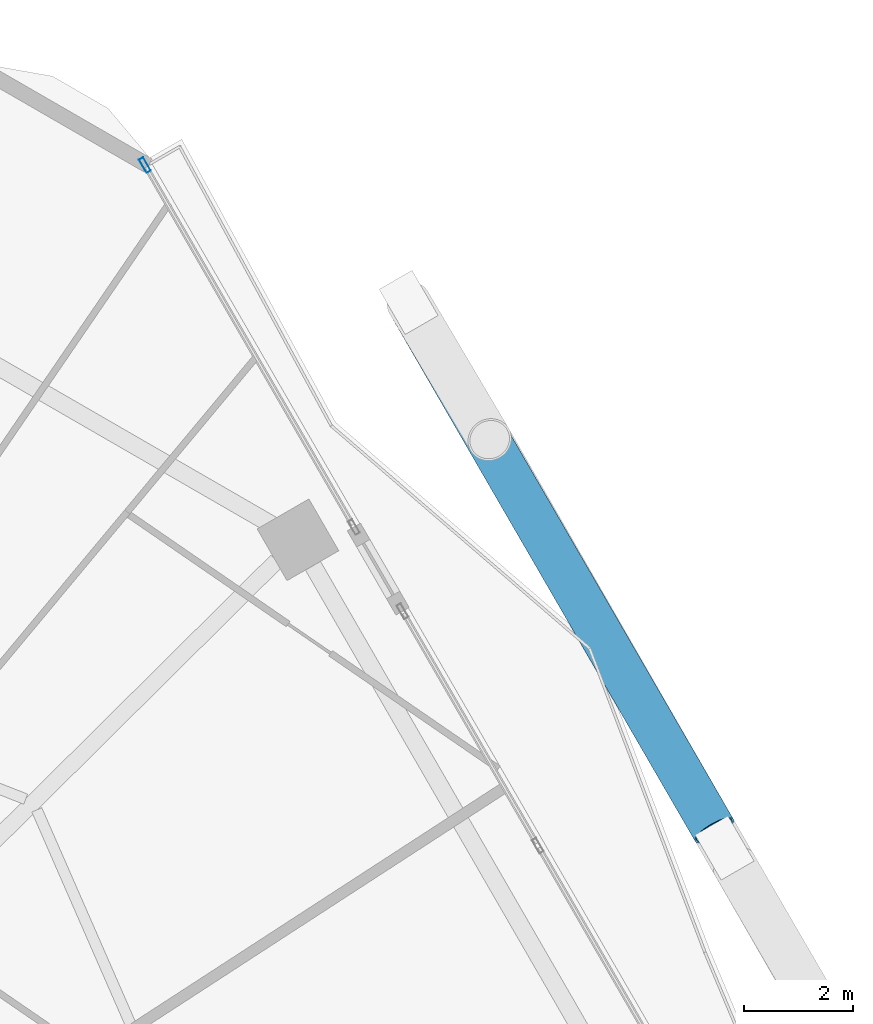
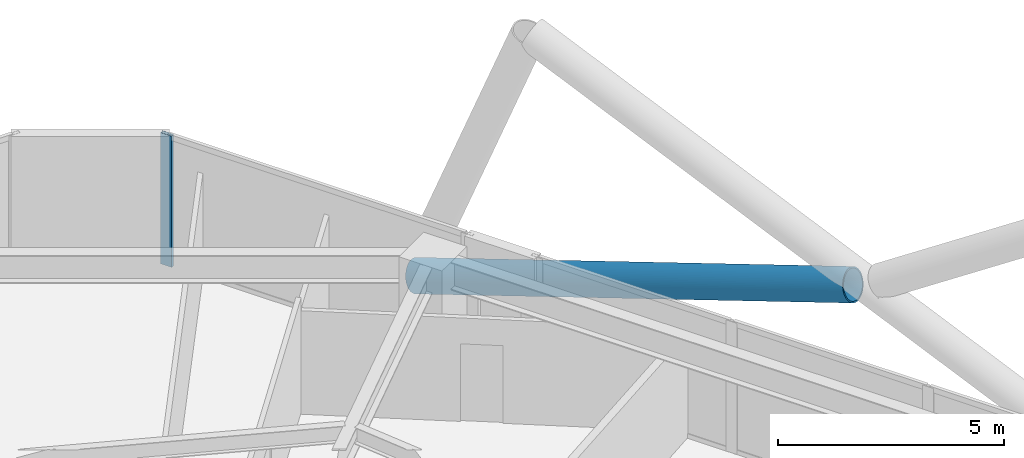
# One storey, part 24 of 35: 2 members, 1 element without a shape of its own.
"""IFC4 building model written with IfcOpenShell, lengths in metres."""

import ifcopenshell
import ifcopenshell.guid

model = None  # the IFC model being written
_history = None  # IfcOwnerHistory: only IFC2X3 demands one
_inside = {}  # id of a spatial element -> (the spatial element, [elements in it])
_under = {}  # id of a project, library or spatial element -> (it, [spatial elements below it])
_declared = {}  # id of a project -> (the project, [libraries it declares])
_typed = {}  # id of a type object -> (the type object, [elements of that type])
_made_of = {}  # id of a material, layer set ... -> (it, [elements and type objects made of it])


def new_model(schema):
    """Start an empty IFC model of exactly this schema.

    Asked for "IFC4X3", IfcOpenShell would pick the latest addendum, in which some entities
    have other attributes; the version numbers below select the first issue.
    IFC2X3 requires an IfcOwnerHistory on every rooted entity: one is made here for all.
    """
    global model, _history
    if schema == "IFC4X3":
        model = ifcopenshell.file(schema_version=(4, 3, 0, 0))
    else:
        model = ifcopenshell.file(schema=schema)
    _inside.clear()
    _under.clear()
    _declared.clear()
    _typed.clear()
    _made_of.clear()
    _history = None
    if model.schema == "IFC2X3":
        org = make("IfcOrganization", Name="unknown")
        user = make(
            "IfcPersonAndOrganization",
            ThePerson=make("IfcPerson", FamilyName="unknown"),
            TheOrganization=org,
        )
        app = make(
            "IfcApplication",
            ApplicationDeveloper=org,
            Version="unknown",
            ApplicationFullName="unknown",
            ApplicationIdentifier="unknown",
        )
        _history = make(
            "IfcOwnerHistory",
            OwningUser=user,
            OwningApplication=app,
            ChangeAction="ADDED",
            CreationDate=0,
        )
    return model


def make(cls, **values):
    """One entity of the class cls with the attributes given. An attribute that is None is left unset."""
    return model.create_entity(
        cls, **{name: value for name, value in values.items() if value is not None}
    )


def rooted(cls, **values):
    """An entity with a GlobalId (a new one), such as an element, a storey or a relation."""
    return make(cls, GlobalId=ifcopenshell.guid.new(), OwnerHistory=_history, **values)


def si_unit(unit_type, name, prefix=None):
    """IfcSIUnit, for example si_unit("LENGTHUNIT", "METRE", prefix="MILLI")."""
    return make("IfcSIUnit", UnitType=unit_type, Prefix=prefix, Name=name)


def assignment(units):
    """IfcUnitAssignment: the units of a project."""
    return None if units is None else make("IfcUnitAssignment", Units=units)


def point(xyz):
    """IfcCartesianPoint."""
    return None if xyz is None else make("IfcCartesianPoint", Coordinates=xyz)


def direction(xyz):
    """IfcDirection."""
    return None if xyz is None else make("IfcDirection", DirectionRatios=xyz)


def frame(location, z_axis=None, x_axis=None):
    """IfcAxis2Placement3D, a coordinate frame: its origin and axes. An axis left out is left unset."""
    return make(
        "IfcAxis2Placement3D",
        Location=point(location),
        Axis=direction(z_axis),
        RefDirection=direction(x_axis),
    )


def frame_2d(location, x_axis=None):
    """IfcAxis2Placement2D, a coordinate frame in the plane: its origin and x axis."""
    return make(
        "IfcAxis2Placement2D", Location=point(location), RefDirection=direction(x_axis)
    )


def origin():
    """The frame at (0, 0, 0) with its axes left unset."""
    return frame((0.0, 0.0, 0.0))


def origin_2d():
    """The frame at (0, 0) in the plane with its x axis left unset."""
    return frame_2d((0.0, 0.0))


def place(relative_to, where):
    """IfcLocalPlacement: puts the frame where relative to a parent placement (None: the world)."""
    return make(
        "IfcLocalPlacement", PlacementRelTo=relative_to, RelativePlacement=where
    )


def context(
    kind, dimensions, precision=None, world=None, true_north=None, identifier=None
):
    """IfcGeometricRepresentationContext, for example the 3D "Model" context."""
    return make(
        "IfcGeometricRepresentationContext",
        ContextIdentifier=identifier,
        ContextType=kind,
        CoordinateSpaceDimension=dimensions,
        Precision=precision,
        WorldCoordinateSystem=world,
        TrueNorth=true_north,
    )


def subcontext(parent, identifier, kind, view, scale=None):
    """IfcGeometricRepresentationSubContext, for example "Body" below "Model"."""
    return make(
        "IfcGeometricRepresentationSubContext",
        ContextIdentifier=identifier,
        ContextType=kind,
        ParentContext=parent,
        TargetScale=scale,
        TargetView=view,
    )


def project(units=None, contexts=None):
    """IfcProject with its units and contexts."""
    return rooted(
        "IfcProject",
        Name="project",
        RepresentationContexts=contexts,
        UnitsInContext=assignment(units),
    )


def spatial(cls, under=None, at=None, **own):
    """A site, building, storey or space (cls), placed at a placement, below another one or the project."""
    s = rooted(cls, ObjectPlacement=at, **own)
    if under is not None:
        _under.setdefault(under.id(), (under, []))[1].append(s)
    return s


def profile(cls, at=None, kind="AREA", **sizes):
    """A parametric profile (cls). Its sizes go by their IFC names, for example OverallWidth=200.0."""
    return make(cls, ProfileType=kind, Position=at, **sizes)


def hollow_rectangle(**sizes):
    """IfcRectangleHollowProfileDef."""
    return profile("IfcRectangleHollowProfileDef", **sizes)


def hollow_circle(**sizes):
    """IfcCircleHollowProfileDef."""
    return profile("IfcCircleHollowProfileDef", **sizes)


def extrude(swept, where, along, depth):
    """IfcExtrudedAreaSolid: the profile swept, set in the frame where, extruded along a direction by depth."""
    return make(
        "IfcExtrudedAreaSolid",
        SweptArea=swept,
        Position=where,
        ExtrudedDirection=direction(along),
        Depth=depth,
    )


def shape(context_of_items, identifier, shape_type, items):
    """IfcShapeRepresentation: the items that make up one representation, for example the "Body"."""
    return make(
        "IfcShapeRepresentation",
        ContextOfItems=context_of_items,
        RepresentationIdentifier=identifier,
        RepresentationType=shape_type,
        Items=items,
    )


def material(Name=None, Category=None):
    """IfcMaterial."""
    return make("IfcMaterial", Name=Name, Category=Category)


def material_profile(
    of_material, cross_section, Name=None, Category=None, Priority=None
):
    """IfcMaterialProfile: a cross section and its material."""
    return make(
        "IfcMaterialProfile",
        Name=Name,
        Material=of_material,
        Profile=cross_section,
        Priority=Priority,
        Category=Category,
    )


def profile_set(profiles, Name=None, composite=None):
    """IfcMaterialProfileSet."""
    return make(
        "IfcMaterialProfileSet",
        Name=Name,
        MaterialProfiles=profiles,
        CompositeProfile=composite,
    )


def made_of(thing, what):
    """Note that an element or type object is made of a material, layer set ...; save() writes the relation."""
    if what is not None:
        _made_of.setdefault(what.id(), (what, []))[1].append(thing)
    return thing


def type_object(cls, material=None, **own):
    """A type object (cls), such as IfcWallType, which elements share."""
    return made_of(rooted(cls, **own), material)


def element(
    cls,
    number,
    at=None,
    inside=None,
    cuts=None,
    type_object=None,
    material=None,
    context=None,
    identifier="Body",
    shape_type=None,
    held_by="IfcProductDefinitionShape",
    body=None,
    shapes=None,
    **own,
):
    """One element of the class cls, such as IfcWall. Its Tag is "e" and its number.

    at: its placement. inside: the storey or other place that contains it. cuts: it is an
    opening in that element (IfcRelVoidsElement). A single representation is given by context,
    identifier, shape_type and body (its items); several are given by shapes. held_by: the class
    of the entity that holds the representations. save() writes the other relations.
    """
    e = rooted(cls, Tag="e%d" % number, ObjectPlacement=at, **own)
    if body is not None:
        shapes = [shape(context, identifier, shape_type, body)]
    if shapes is not None:
        e.Representation = make(held_by, Representations=shapes)
    if inside is not None:
        _inside.setdefault(inside.id(), (inside, []))[1].append(e)
    if cuts is not None:
        rooted(
            "IfcRelVoidsElement", RelatingBuildingElement=cuts, RelatedOpeningElement=e
        )
    if type_object is not None:
        _typed.setdefault(type_object.id(), (type_object, []))[1].append(e)
    return made_of(e, material)


def aggregate(whole, parts):
    """IfcRelAggregates: a whole, such as a stair, and the parts it consists of."""
    return rooted("IfcRelAggregates", RelatingObject=whole, RelatedObjects=parts)


def save(model, path):
    """Write the relations noted so far, then the file.

    IfcRelAggregates (storeys below a building ...), IfcRelContainedInSpatialStructure (elements
    in a storey), IfcRelDefinesByType, IfcRelAssociatesMaterial and IfcRelDeclares: one each for
    every whole, place, type object, material and project.
    """
    for whole, parts in _under.values():
        aggregate(whole, parts)
    for where, things in _inside.values():
        rooted(
            "IfcRelContainedInSpatialStructure",
            RelatedElements=things,
            RelatingStructure=where,
        )
    for kind, things in _typed.values():
        rooted("IfcRelDefinesByType", RelatedObjects=things, RelatingType=kind)
    for what, things in _made_of.values():
        rooted("IfcRelAssociatesMaterial", RelatedObjects=things, RelatingMaterial=what)
    for by, libraries in _declared.values():
        rooted("IfcRelDeclares", RelatingContext=by, RelatedDefinitions=libraries)
    model.write(path)


model = new_model("IFC4")

# Units and contexts
model_context = context("Model", 3, precision=1e-05, world=origin(), true_north=direction((0.0, 1.0)))
body_context = subcontext(model_context, "Body", "Model", "MODEL_VIEW")
ifc_project = project(units=[si_unit("LENGTHUNIT", "METRE"), si_unit("AREAUNIT", "SQUARE_METRE"), si_unit("VOLUMEUNIT", "CUBIC_METRE"), si_unit("PLANEANGLEUNIT", "RADIAN"), si_unit("MASSUNIT", "GRAM", prefix="KILO")], contexts=[model_context])

# Site, building, storey
site_placement = place(None, origin())
site = spatial("IfcSite", under=ifc_project, at=site_placement, CompositionType="ELEMENT")
building_placement = place(site_placement, origin())
building = spatial("IfcBuilding", under=site, at=building_placement, Name="Zuhravey Tower", CompositionType="ELEMENT")
storey_placement = place(building_placement, frame((0.0, 0.0, 122.800048828125)))
storey = spatial("IfcBuildingStorey", under=building, at=storey_placement, Name="L30", CompositionType="ELEMENT", Elevation=122.800048828125)

# Curtain wall, member
ifc_material_1 = material(Name="Thermally broken anodised aluminium", Category="aluminium")
curtain_wall_type = type_object("IfcCurtainWallType", Name="Zone 1-2 Residential Curtain Wall CW3", PredefinedType="NOTDEFINED", material=ifc_material_1)
curtain_wall_placement = place(storey_placement, origin())
curtain_wall = element("IfcCurtainWall", 1, at=curtain_wall_placement, inside=storey, type_object=curtain_wall_type, Name="L30 CW3 CW-L30-F1-1", PredefinedType="NOTDEFINED")
ifc_material_2 = material(Name="Anodised aluminium", Category="aluminium")
ifc_material_profile_1 = material_profile(ifc_material_2, hollow_rectangle(XDim=0.090087890625, YDim=0.284912109375, WallThickness=0.0048828125, at=origin_2d()), Name="ALU-RHS-90x285x5")
ifc_profile_set_1 = profile_set([ifc_material_profile_1], Name="Anodised aluminium")
member_type_1 = type_object("IfcMemberType", Name="Curtain-Wall Mullion 90x180", PredefinedType="MULLION", material=ifc_profile_set_1)
member_1_placement = place(storey_placement, frame((53.701416015625, 59.257080078125, 0.0), z_axis=(0.0, 0.0, 1.0), x_axis=(0.866025384883, 0.500000032739, 0.0)))
member_1 = element("IfcMember", 2, at=member_1_placement, type_object=member_type_1, Name="CW3 mullion 1", PredefinedType="MULLION", context=body_context, shape_type="SweptSolid", body=[
    extrude(hollow_rectangle(XDim=0.090087890625, YDim=0.284912109375, WallThickness=0.0048828125, at=origin_2d()), origin(), (0.0, 0.0, 1.0), 3.550048828125),
])
aggregate(curtain_wall, [member_1])

# Member
ifc_material_3 = material(Name="Steel SM460", Category="steel")
ifc_material_profile_2 = material_profile(ifc_material_3, hollow_circle(Radius=0.406494140625, WallThickness=0.035888671875, at=origin_2d()), Name="CHS-812.8x36")
ifc_profile_set_2 = profile_set([ifc_material_profile_2], Name="Steel SM460")
member_type_2 = type_object("IfcMemberType", Name="Exoskeleton Zone 1 Diagrid CHS813x36", PredefinedType="BRACE", material=ifc_profile_set_2)
member_2_placement = place(storey_placement, frame((58.58251953125, 56.682861328125, -0.447021484375), z_axis=(0.476258779657, -0.822426914311, 0.311113396394), x_axis=(0.865372952922, 0.501128379112, 0.0)))
element("IfcMember", 3, at=member_2_placement, inside=storey, type_object=member_type_2, Name="L30 Face 1 Split Diagrid Brace 3A", PredefinedType="BRACE", context=body_context, shape_type="SweptSolid", body=[
    extrude(hollow_circle(Radius=0.406494140625, WallThickness=0.035888671875, at=origin_2d()), origin(), (0.0, 0.0, 1.0), 11.76318359375),
])

save(model, "model.ifc")
